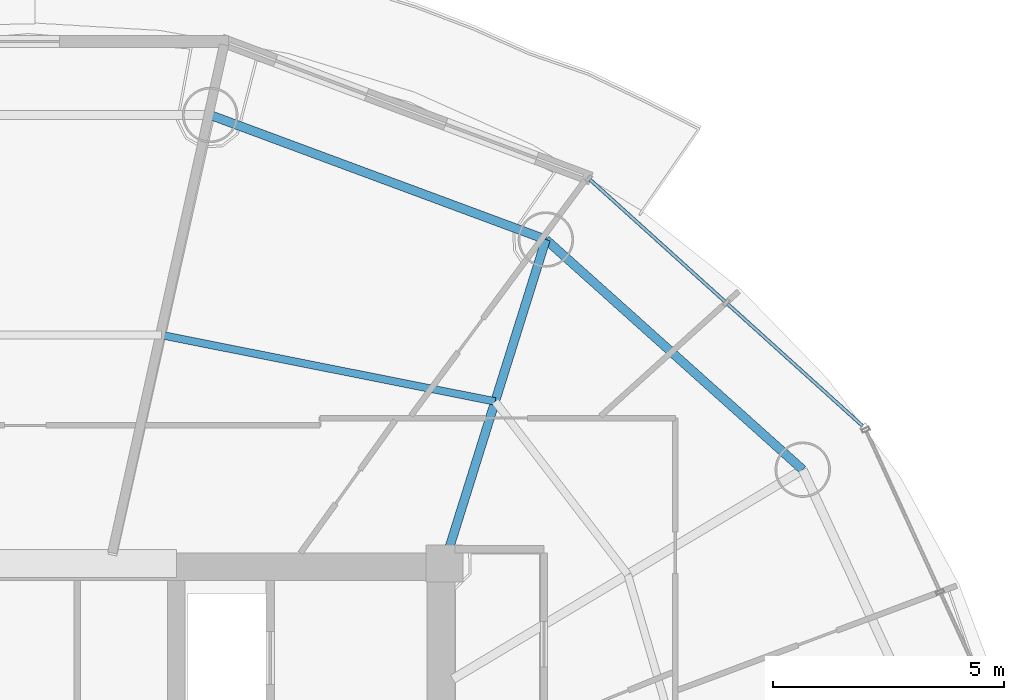
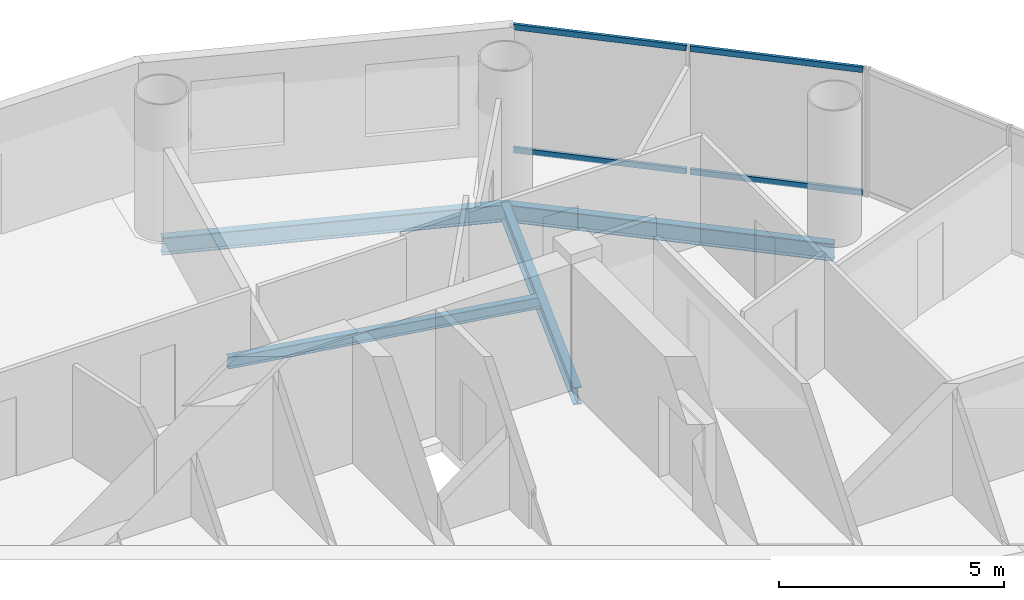
# One storey, part 17 of 26: 4 beams, 4 members, 1 element without a shape of its own.
"""IFC4 building model written with IfcOpenShell, lengths in metres."""

from ifc_helpers import new_model, si_unit, direction, frame, origin, origin_2d, place, context, subcontext, project, spatial, hollow_rectangle, i_section, extrude, source, transform, mapped, material, material_profile, profile_set, type_object, element, aggregate, save


model = new_model("IFC4")

# Units and contexts
model_context = context("Model", 3, precision=1e-05, world=origin(), true_north=direction((-0.2419218956, 0.970295726276)))
body_context = subcontext(model_context, "Body", "Model", "MODEL_VIEW")
ifc_project = project(units=[si_unit("LENGTHUNIT", "METRE"), si_unit("AREAUNIT", "SQUARE_METRE"), si_unit("VOLUMEUNIT", "CUBIC_METRE"), si_unit("PLANEANGLEUNIT", "RADIAN"), si_unit("MASSUNIT", "GRAM", prefix="KILO")], contexts=[model_context])

# Site, building, storey
site_placement = place(None, origin())
site = spatial("IfcSite", under=ifc_project, at=site_placement, CompositionType="ELEMENT")
building_placement = place(site_placement, origin())
building = spatial("IfcBuilding", under=site, at=building_placement, Name="Cobrevalo Terracotta Tower", CompositionType="ELEMENT")
storey_placement = place(building_placement, frame((0.0, 0.0, 217.10009765625)))
storey = spatial("IfcBuildingStorey", under=building, at=storey_placement, Name="L57", CompositionType="ELEMENT", Elevation=217.10009765625)

# Beams
ifc_material_1 = material(Name="Steel S355", Category="steel")
ifc_material_profile_1 = material_profile(ifc_material_1, i_section(OverallWidth=0.194091796875, OverallDepth=0.468994140625, WebThickness=0.011474609375, FlangeThickness=0.0205078125, at=origin_2d()), Name="W 460x106")
ifc_profile_set_1 = profile_set([ifc_material_profile_1], Name="Steel S355")
beam_type_1 = type_object("IfcBeamType", Name="Structural Beam W 460x106 (Steel S355)", PredefinedType="BEAM", material=ifc_profile_set_1)
beam_1_placement = place(storey_placement, frame((49.19482421875, 41.80810546875, -0.49951171875), z_axis=(-0.298871212691, -0.954293454984, 0.0), x_axis=(0.954293454984, -0.298871212691, 0.0)))
element("IfcBeam", 1, at=beam_1_placement, inside=storey, type_object=beam_type_1, Name="L57 radial floor girder 03", PredefinedType="BEAM", context=body_context, shape_type="SweptSolid", body=[
    extrude(i_section(OverallWidth=0.194091796875, OverallDepth=0.468994140625, WebThickness=0.011474609375, FlangeThickness=0.0205078125, at=origin_2d()), origin(), (0.0, 0.0, 1.0), 7.34375),
])
ifc_material_profile_2 = material_profile(ifc_material_1, i_section(OverallWidth=0.1650390625, OverallDepth=0.31005859375, WebThickness=0.005859375, FlangeThickness=0.009765625, at=origin_2d()), Name="W 310x38.7")
ifc_profile_set_2 = profile_set([ifc_material_profile_2], Name="Steel S355")
beam_type_2 = type_object("IfcBeamType", Name="Structural Joist W 310x38.7 (Steel S355)", PredefinedType="JOIST", material=ifc_profile_set_2)
beam_2_placement = place(storey_placement, frame((48.097412109375, 38.303955078125, -0.420166015625), z_axis=(-0.980762562197, 0.195204499418, 0.0), x_axis=(-0.195204499418, -0.980762562197, 0.0)))
element("IfcBeam", 2, at=beam_2_placement, inside=storey, type_object=beam_type_2, Name="L57 circumferential secondary floor joist 03", PredefinedType="JOIST", context=body_context, shape_type="SweptSolid", body=[
    extrude(i_section(OverallWidth=0.1650390625, OverallDepth=0.31005859375, WebThickness=0.005859375, FlangeThickness=0.009765625, at=origin_2d()), origin(), (0.0, 0.0, 1.0), 7.365234375),
])
ifc_material_profile_3 = material_profile(ifc_material_1, i_section(OverallWidth=0.194091796875, OverallDepth=0.468994140625, WebThickness=0.011474609375, FlangeThickness=0.0205078125, at=origin_2d()), Name="W 460x106")
ifc_profile_set_3 = profile_set([ifc_material_profile_3], Name="Steel S355")
beam_type_3 = type_object("IfcBeamType", Name="Structural Spandrel W 460x106 (Steel S355)", PredefinedType="SPANDREL", material=ifc_profile_set_3)
beam_3_placement = place(storey_placement, frame((54.754150390625, 36.828125, -0.49951171875), z_axis=(-0.744851930997, 0.667229796165, 0.0), x_axis=(-0.667229796165, -0.744851930997, 0.0)))
element("IfcBeam", 3, at=beam_3_placement, inside=storey, type_object=beam_type_3, Name="L57 perimeter ring spandrel 02", PredefinedType="SPANDREL", context=body_context, shape_type="SweptSolid", body=[
    extrude(i_section(OverallWidth=0.194091796875, OverallDepth=0.468994140625, WebThickness=0.011474609375, FlangeThickness=0.0205078125, at=origin_2d()), origin(), (0.0, 0.0, 1.0), 7.463623046875),
])
beam_4_placement = place(storey_placement, frame((49.19482421875, 41.80810546875, -0.49951171875), z_axis=(-0.937545996665, 0.347861328892, 0.0), x_axis=(-0.347861328892, -0.937545996665, 0.0)))
element("IfcBeam", 4, at=beam_4_placement, inside=storey, type_object=beam_type_3, Name="L57 perimeter ring spandrel 03", PredefinedType="SPANDREL", context=body_context, shape_type="SweptSolid", body=[
    extrude(i_section(OverallWidth=0.194091796875, OverallDepth=0.468994140625, WebThickness=0.011474609375, FlangeThickness=0.0205078125, at=origin_2d()), origin(), (0.0, 0.0, 1.0), 7.74755859375),
])

# Curtain wall, members
ifc_material_2 = material(Name="Anodized aluminium", Category="aluminium")
curtain_wall_type = type_object("IfcCurtainWallType", Name="Mid-tower high-wind unitised curtain wall CW-U2", PredefinedType="NOTDEFINED", material=ifc_material_2)
curtain_wall_placement = place(storey_placement, origin())
curtain_wall = element("IfcCurtainWall", 5, at=curtain_wall_placement, inside=storey, type_object=curtain_wall_type, Name="L57 curtain wall CW-L57-S02", PredefinedType="NOTDEFINED")
ifc_material_profile_4 = material_profile(ifc_material_2, hollow_rectangle(XDim=0.074951171875, YDim=0.14990234375, WallThickness=0.00439453125, at=origin_2d()), Name="CWT 75x150")
ifc_profile_set_4 = profile_set([ifc_material_profile_4], Name="Anodized aluminium")
member_type = type_object("IfcMemberType", Name="Tower unitised aluminium transom 75x150", PredefinedType="USERDEFINED", material=ifc_profile_set_4)
shared_shape_1 = source(origin(), body_context, "Body", "SweptSolid", [
    extrude(hollow_rectangle(XDim=0.074951171875, YDim=0.14990234375, WallThickness=0.00439453125, at=origin_2d()), origin(), (0.0, 0.0, 1.0), 3.927490234375),
])
member_1_placement = place(storey_placement, frame((56.041748046875, 37.78173828125, 0.0498046875), z_axis=(-0.741975952623, 0.670426495396, 0.0), x_axis=(-0.670426495396, -0.741975952623, 0.0)))
member_1 = element("IfcMember", 6, at=member_1_placement, type_object=member_type, Name="CW-L57-S02 transom B01-T1", ObjectType="TRANSOM", PredefinedType="USERDEFINED", context=body_context, shape_type="MappedRepresentation", body=[
    mapped(shared_shape_1, transform((0.0, 0.0, 0.0), scale=1.0)),
])
member_2_placement = place(storey_placement, frame((56.041748046875, 37.78173828125, 3.385009765625), z_axis=(-0.741975952623, 0.670426495396, 0.0), x_axis=(-0.670426495396, -0.741975952623, 0.0)))
member_2 = element("IfcMember", 7, at=member_2_placement, type_object=member_type, Name="CW-L57-S02 transom B01-T2", ObjectType="TRANSOM", PredefinedType="USERDEFINED", context=body_context, shape_type="MappedRepresentation", body=[
    mapped(shared_shape_1, transform((0.0, 0.0, 0.0), scale=1.0)),
])
shared_shape_2 = source(origin(), body_context, "Body", "SweptSolid", [
    extrude(hollow_rectangle(XDim=0.074951171875, YDim=0.14990234375, WallThickness=0.00439453125, at=origin_2d()), origin(), (0.0, 0.0, 1.0), 3.927734375),
])
member_3_placement = place(storey_placement, frame((53.068359375, 40.46826171875, 0.0498046875), z_axis=(-0.742003891138, 0.670395573923, 0.0), x_axis=(-0.670395573923, -0.742003891138, 0.0)))
member_3 = element("IfcMember", 8, at=member_3_placement, type_object=member_type, Name="CW-L57-S02 transom B02-T1", ObjectType="TRANSOM", PredefinedType="USERDEFINED", context=body_context, shape_type="MappedRepresentation", body=[
    mapped(shared_shape_2, transform((0.0, 0.0, 0.0), scale=1.0)),
])
member_4_placement = place(storey_placement, frame((53.068359375, 40.46826171875, 3.385009765625), z_axis=(-0.742003891138, 0.670395573923, 0.0), x_axis=(-0.670395573923, -0.742003891138, 0.0)))
member_4 = element("IfcMember", 9, at=member_4_placement, type_object=member_type, Name="CW-L57-S02 transom B02-T2", ObjectType="TRANSOM", PredefinedType="USERDEFINED", context=body_context, shape_type="MappedRepresentation", body=[
    mapped(shared_shape_2, transform((0.0, 0.0, 0.0), scale=1.0)),
])
aggregate(curtain_wall, [member_1, member_2, member_3, member_4])

save(model, "model.ifc")
